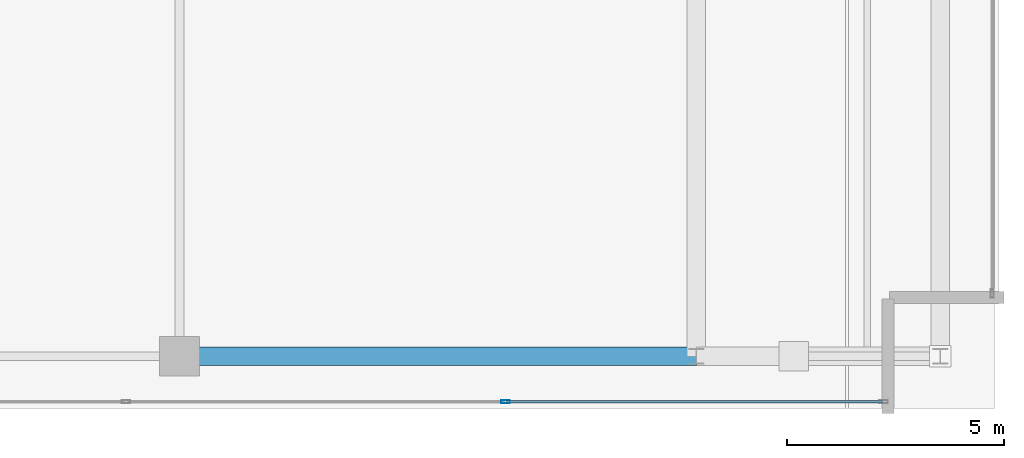
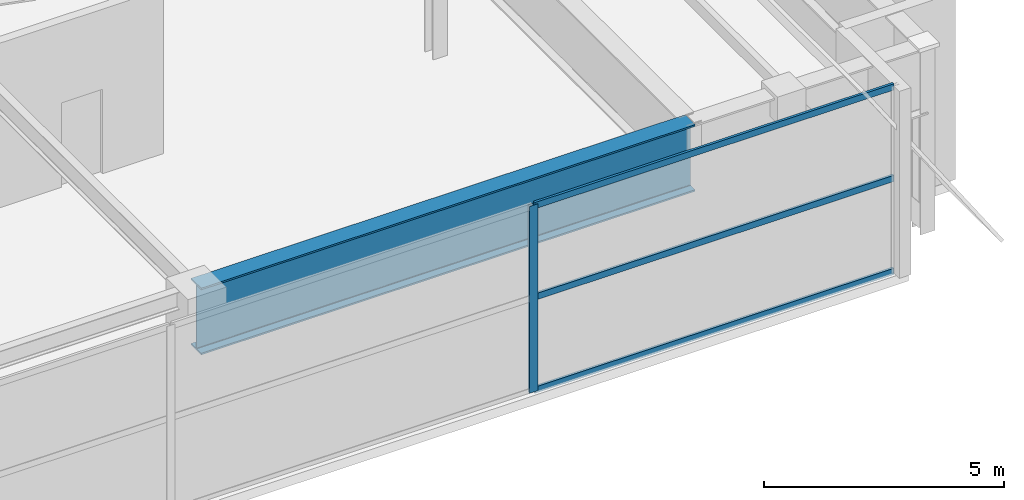
# One storey, part 7 of 22: 4 members, 1 beam, 1 element without a shape of its own.
"""IFC4 building model written with IfcOpenShell, lengths in metres."""

import ifcopenshell
import ifcopenshell.guid

model = None  # the IFC model being written
_history = None  # IfcOwnerHistory: only IFC2X3 demands one
_inside = {}  # id of a spatial element -> (the spatial element, [elements in it])
_under = {}  # id of a project, library or spatial element -> (it, [spatial elements below it])
_declared = {}  # id of a project -> (the project, [libraries it declares])
_typed = {}  # id of a type object -> (the type object, [elements of that type])
_made_of = {}  # id of a material, layer set ... -> (it, [elements and type objects made of it])


def new_model(schema):
    """Start an empty IFC model of exactly this schema.

    Asked for "IFC4X3", IfcOpenShell would pick the latest addendum, in which some entities
    have other attributes; the version numbers below select the first issue.
    IFC2X3 requires an IfcOwnerHistory on every rooted entity: one is made here for all.
    """
    global model, _history
    if schema == "IFC4X3":
        model = ifcopenshell.file(schema_version=(4, 3, 0, 0))
    else:
        model = ifcopenshell.file(schema=schema)
    _inside.clear()
    _under.clear()
    _declared.clear()
    _typed.clear()
    _made_of.clear()
    _history = None
    if model.schema == "IFC2X3":
        org = make("IfcOrganization", Name="unknown")
        user = make(
            "IfcPersonAndOrganization",
            ThePerson=make("IfcPerson", FamilyName="unknown"),
            TheOrganization=org,
        )
        app = make(
            "IfcApplication",
            ApplicationDeveloper=org,
            Version="unknown",
            ApplicationFullName="unknown",
            ApplicationIdentifier="unknown",
        )
        _history = make(
            "IfcOwnerHistory",
            OwningUser=user,
            OwningApplication=app,
            ChangeAction="ADDED",
            CreationDate=0,
        )
    return model


def make(cls, **values):
    """One entity of the class cls with the attributes given. An attribute that is None is left unset."""
    return model.create_entity(
        cls, **{name: value for name, value in values.items() if value is not None}
    )


def rooted(cls, **values):
    """An entity with a GlobalId (a new one), such as an element, a storey or a relation."""
    return make(cls, GlobalId=ifcopenshell.guid.new(), OwnerHistory=_history, **values)


def si_unit(unit_type, name, prefix=None):
    """IfcSIUnit, for example si_unit("LENGTHUNIT", "METRE", prefix="MILLI")."""
    return make("IfcSIUnit", UnitType=unit_type, Prefix=prefix, Name=name)


def assignment(units):
    """IfcUnitAssignment: the units of a project."""
    return None if units is None else make("IfcUnitAssignment", Units=units)


def point(xyz):
    """IfcCartesianPoint."""
    return None if xyz is None else make("IfcCartesianPoint", Coordinates=xyz)


def direction(xyz):
    """IfcDirection."""
    return None if xyz is None else make("IfcDirection", DirectionRatios=xyz)


def frame(location, z_axis=None, x_axis=None):
    """IfcAxis2Placement3D, a coordinate frame: its origin and axes. An axis left out is left unset."""
    return make(
        "IfcAxis2Placement3D",
        Location=point(location),
        Axis=direction(z_axis),
        RefDirection=direction(x_axis),
    )


def frame_2d(location, x_axis=None):
    """IfcAxis2Placement2D, a coordinate frame in the plane: its origin and x axis."""
    return make(
        "IfcAxis2Placement2D", Location=point(location), RefDirection=direction(x_axis)
    )


def origin():
    """The frame at (0, 0, 0) with its axes left unset."""
    return frame((0.0, 0.0, 0.0))


def origin_2d():
    """The frame at (0, 0) in the plane with its x axis left unset."""
    return frame_2d((0.0, 0.0))


def place(relative_to, where):
    """IfcLocalPlacement: puts the frame where relative to a parent placement (None: the world)."""
    return make(
        "IfcLocalPlacement", PlacementRelTo=relative_to, RelativePlacement=where
    )


def context(
    kind, dimensions, precision=None, world=None, true_north=None, identifier=None
):
    """IfcGeometricRepresentationContext, for example the 3D "Model" context."""
    return make(
        "IfcGeometricRepresentationContext",
        ContextIdentifier=identifier,
        ContextType=kind,
        CoordinateSpaceDimension=dimensions,
        Precision=precision,
        WorldCoordinateSystem=world,
        TrueNorth=true_north,
    )


def subcontext(parent, identifier, kind, view, scale=None):
    """IfcGeometricRepresentationSubContext, for example "Body" below "Model"."""
    return make(
        "IfcGeometricRepresentationSubContext",
        ContextIdentifier=identifier,
        ContextType=kind,
        ParentContext=parent,
        TargetScale=scale,
        TargetView=view,
    )


def project(units=None, contexts=None):
    """IfcProject with its units and contexts."""
    return rooted(
        "IfcProject",
        Name="project",
        RepresentationContexts=contexts,
        UnitsInContext=assignment(units),
    )


def spatial(cls, under=None, at=None, **own):
    """A site, building, storey or space (cls), placed at a placement, below another one or the project."""
    s = rooted(cls, ObjectPlacement=at, **own)
    if under is not None:
        _under.setdefault(under.id(), (under, []))[1].append(s)
    return s


def profile(cls, at=None, kind="AREA", **sizes):
    """A parametric profile (cls). Its sizes go by their IFC names, for example OverallWidth=200.0."""
    return make(cls, ProfileType=kind, Position=at, **sizes)


def hollow_rectangle(**sizes):
    """IfcRectangleHollowProfileDef."""
    return profile("IfcRectangleHollowProfileDef", **sizes)


def i_section(**sizes):
    """IfcIShapeProfileDef."""
    return profile("IfcIShapeProfileDef", **sizes)


def extrude(swept, where, along, depth):
    """IfcExtrudedAreaSolid: the profile swept, set in the frame where, extruded along a direction by depth."""
    return make(
        "IfcExtrudedAreaSolid",
        SweptArea=swept,
        Position=where,
        ExtrudedDirection=direction(along),
        Depth=depth,
    )


def shape(context_of_items, identifier, shape_type, items):
    """IfcShapeRepresentation: the items that make up one representation, for example the "Body"."""
    return make(
        "IfcShapeRepresentation",
        ContextOfItems=context_of_items,
        RepresentationIdentifier=identifier,
        RepresentationType=shape_type,
        Items=items,
    )


def material(Name=None, Category=None):
    """IfcMaterial."""
    return make("IfcMaterial", Name=Name, Category=Category)


def layer(
    of_material, thickness, ventilated=None, Name=None, Category=None, Priority=None
):
    """IfcMaterialLayer: one layer of a wall or slab, of a material (None: an air gap)."""
    return make(
        "IfcMaterialLayer",
        Material=of_material,
        LayerThickness=thickness,
        IsVentilated=ventilated,
        Name=Name,
        Category=Category,
        Priority=Priority,
    )


def layer_set(layers, Name=None):
    """IfcMaterialLayerSet."""
    return make("IfcMaterialLayerSet", MaterialLayers=layers, LayerSetName=Name)


def material_profile(
    of_material, cross_section, Name=None, Category=None, Priority=None
):
    """IfcMaterialProfile: a cross section and its material."""
    return make(
        "IfcMaterialProfile",
        Name=Name,
        Material=of_material,
        Profile=cross_section,
        Priority=Priority,
        Category=Category,
    )


def profile_set(profiles, Name=None, composite=None):
    """IfcMaterialProfileSet."""
    return make(
        "IfcMaterialProfileSet",
        Name=Name,
        MaterialProfiles=profiles,
        CompositeProfile=composite,
    )


def made_of(thing, what):
    """Note that an element or type object is made of a material, layer set ...; save() writes the relation."""
    if what is not None:
        _made_of.setdefault(what.id(), (what, []))[1].append(thing)
    return thing


def type_object(cls, material=None, **own):
    """A type object (cls), such as IfcWallType, which elements share."""
    return made_of(rooted(cls, **own), material)


def element(
    cls,
    number,
    at=None,
    inside=None,
    cuts=None,
    type_object=None,
    material=None,
    context=None,
    identifier="Body",
    shape_type=None,
    held_by="IfcProductDefinitionShape",
    body=None,
    shapes=None,
    **own,
):
    """One element of the class cls, such as IfcWall. Its Tag is "e" and its number.

    at: its placement. inside: the storey or other place that contains it. cuts: it is an
    opening in that element (IfcRelVoidsElement). A single representation is given by context,
    identifier, shape_type and body (its items); several are given by shapes. held_by: the class
    of the entity that holds the representations. save() writes the other relations.
    """
    e = rooted(cls, Tag="e%d" % number, ObjectPlacement=at, **own)
    if body is not None:
        shapes = [shape(context, identifier, shape_type, body)]
    if shapes is not None:
        e.Representation = make(held_by, Representations=shapes)
    if inside is not None:
        _inside.setdefault(inside.id(), (inside, []))[1].append(e)
    if cuts is not None:
        rooted(
            "IfcRelVoidsElement", RelatingBuildingElement=cuts, RelatedOpeningElement=e
        )
    if type_object is not None:
        _typed.setdefault(type_object.id(), (type_object, []))[1].append(e)
    return made_of(e, material)


def aggregate(whole, parts):
    """IfcRelAggregates: a whole, such as a stair, and the parts it consists of."""
    return rooted("IfcRelAggregates", RelatingObject=whole, RelatedObjects=parts)


def save(model, path):
    """Write the relations noted so far, then the file.

    IfcRelAggregates (storeys below a building ...), IfcRelContainedInSpatialStructure (elements
    in a storey), IfcRelDefinesByType, IfcRelAssociatesMaterial and IfcRelDeclares: one each for
    every whole, place, type object, material and project.
    """
    for whole, parts in _under.values():
        aggregate(whole, parts)
    for where, things in _inside.values():
        rooted(
            "IfcRelContainedInSpatialStructure",
            RelatedElements=things,
            RelatingStructure=where,
        )
    for kind, things in _typed.values():
        rooted("IfcRelDefinesByType", RelatedObjects=things, RelatingType=kind)
    for what, things in _made_of.values():
        rooted("IfcRelAssociatesMaterial", RelatedObjects=things, RelatingMaterial=what)
    for by, libraries in _declared.values():
        rooted("IfcRelDeclares", RelatingContext=by, RelatedDefinitions=libraries)
    model.write(path)


model = new_model("IFC4")

# Units and contexts
model_context = context("Model", 3, precision=1e-05, world=origin(), true_north=direction((0.0, 1.0)))
body_context = subcontext(model_context, "Body", "Model", "MODEL_VIEW")
ifc_project = project(units=[si_unit("LENGTHUNIT", "METRE"), si_unit("AREAUNIT", "SQUARE_METRE"), si_unit("VOLUMEUNIT", "CUBIC_METRE"), si_unit("PLANEANGLEUNIT", "RADIAN"), si_unit("MASSUNIT", "GRAM", prefix="KILO")], contexts=[model_context])

# Site, building, storey
site_placement = place(None, origin())
site = spatial("IfcSite", under=ifc_project, at=site_placement, CompositionType="ELEMENT")
building_placement = place(site_placement, origin())
building = spatial("IfcBuilding", under=site, at=building_placement, Name="Calvorn Quay Hotel", CompositionType="ELEMENT")
storey_placement = place(building_placement, frame((0.0, 0.0, 325.5)))
storey = spatial("IfcBuildingStorey", under=building, at=storey_placement, Name="L80", CompositionType="ELEMENT", Elevation=325.5)

# Beam
ifc_material_1 = material(Name="Steel Q420GJC", Category="steel")
ifc_material_profile_1 = material_profile(ifc_material_1, i_section(OverallWidth=0.419921875, OverallDepth=1.699951171875, WebThickness=0.02392578125, FlangeThickness=0.0419921875, FilletRadius=0.02392578125, at=origin_2d()), Name="HN1700x420x24x42")
ifc_profile_set_1 = profile_set([ifc_material_profile_1], Name="Steel Q420GJC")
beam_type = type_object("IfcBeamType", Name="BM-XFER-SAWTOOTH", PredefinedType="BEAM", material=ifc_profile_set_1)
beam_placement = place(storey_placement, frame((12.60009765625, 3.60009765625, 3.889892578125), z_axis=(1.0, 0.0, 0.0), x_axis=(0.0, 1.0, 0.0)))
element("IfcBeam", 1, at=beam_placement, inside=storey, type_object=beam_type, Name="Beam BTG-L80-C-CR1A", PredefinedType="BEAM", context=body_context, shape_type="SweptSolid", body=[
    extrude(i_section(OverallWidth=0.419921875, OverallDepth=1.699951171875, WebThickness=0.02392578125, FlangeThickness=0.0419921875, FilletRadius=0.02392578125, at=origin_2d()), origin(), (0.0, 0.0, 1.0), 11.89990234375),
])

# Curtain wall, members
ifc_material_2 = material(Name="Pale Anodised Aluminium and Laminated Glass", Category="aluminium")
ifc_layer = layer(ifc_material_2, 0.219970703125)
ifc_layer_set = layer_set([ifc_layer], Name="CW-SYS-CRN")
curtain_wall_type = type_object("IfcCurtainWallType", Name="CW-SYS-CRN", PredefinedType="NOTDEFINED", material=ifc_layer_set)
curtain_wall_placement = place(storey_placement, origin())
curtain_wall = element("IfcCurtainWall", 2, at=curtain_wall_placement, inside=storey, type_object=curtain_wall_type, Name="Crown Curtain Wall L80-C1", PredefinedType="NOTDEFINED")
ifc_material_3 = material(Name="Pale Anodised Aluminium 6063-T6", Category="aluminium")
ifc_material_profile_2 = material_profile(ifc_material_3, hollow_rectangle(XDim=0.072021484375, YDim=0.195068359375, WallThickness=0.00390625, at=origin_2d()), Name="ALU-M195x72x4")
ifc_profile_set_2 = profile_set([ifc_material_profile_2], Name="Pale Anodised Aluminium 6063-T6")
member_type_1 = type_object("IfcMemberType", Name="CW-SYS-CRN-MUL", PredefinedType="MULLION", material=ifc_profile_set_2)
member_1_placement = place(storey_placement, frame((20.104736328125, 2.550048828125, 0.0), z_axis=(0.0, 0.0, 1.0), x_axis=(0.0, 1.0, 0.0)))
member_1 = element("IfcMember", 3, at=member_1_placement, type_object=member_type_1, Name="CW-L80-C1 mullion 3", PredefinedType="MULLION", context=body_context, shape_type="SweptSolid", body=[
    extrude(hollow_rectangle(XDim=0.072021484375, YDim=0.195068359375, WallThickness=0.00390625, at=origin_2d()), origin(), (0.0, 0.0, 1.0), 4.760009765625),
])
ifc_material_4 = material(Name="Pale Anodised Aluminium 6063-T6", Category="aluminium")
ifc_material_profile_3 = material_profile(ifc_material_4, hollow_rectangle(XDim=0.06201171875, YDim=0.159912109375, WallThickness=0.00341796875, at=origin_2d()), Name="ALU-T160x62x3.5")
ifc_profile_set_3 = profile_set([ifc_material_profile_3], Name="Pale Anodised Aluminium 6063-T6")
member_type_2 = type_object("IfcMemberType", Name="CW-SYS-CRN-TRN", PredefinedType="USERDEFINED", material=ifc_profile_set_3)
member_2_placement = place(storey_placement, frame((20.134765625, 2.550048828125, 0.030029296875), z_axis=(1.0, 0.0, 0.0), x_axis=(0.0, 1.0, 0.0)))
member_2 = element("IfcMember", 4, at=member_2_placement, type_object=member_type_2, Name="CW-L80-C1 transom 3.1", ObjectType="TRANSOM", PredefinedType="USERDEFINED", context=body_context, shape_type="SweptSolid", body=[
    extrude(hollow_rectangle(XDim=0.06201171875, YDim=0.159912109375, WallThickness=0.00341796875, at=origin_2d()), origin(), (0.0, 0.0, 1.0), 8.65234375),
])
member_3_placement = place(storey_placement, frame((20.134765625, 2.550048828125, 2.39990234375), z_axis=(1.0, 0.0, 0.0), x_axis=(0.0, 1.0, 0.0)))
member_3 = element("IfcMember", 5, at=member_3_placement, type_object=member_type_2, Name="CW-L80-C1 transom 3.2", ObjectType="TRANSOM", PredefinedType="USERDEFINED", context=body_context, shape_type="SweptSolid", body=[
    extrude(hollow_rectangle(XDim=0.06201171875, YDim=0.159912109375, WallThickness=0.00341796875, at=origin_2d()), origin(), (0.0, 0.0, 1.0), 8.65234375),
])
member_4_placement = place(storey_placement, frame((20.134765625, 2.550048828125, 4.72998046875), z_axis=(1.0, 0.0, 0.0), x_axis=(0.0, 1.0, 0.0)))
member_4 = element("IfcMember", 6, at=member_4_placement, type_object=member_type_2, Name="CW-L80-C1 transom 3.3", ObjectType="TRANSOM", PredefinedType="USERDEFINED", context=body_context, shape_type="SweptSolid", body=[
    extrude(hollow_rectangle(XDim=0.06201171875, YDim=0.159912109375, WallThickness=0.00341796875, at=origin_2d()), origin(), (0.0, 0.0, 1.0), 8.65234375),
])
aggregate(curtain_wall, [member_1, member_2, member_3, member_4])

save(model, "model.ifc")
